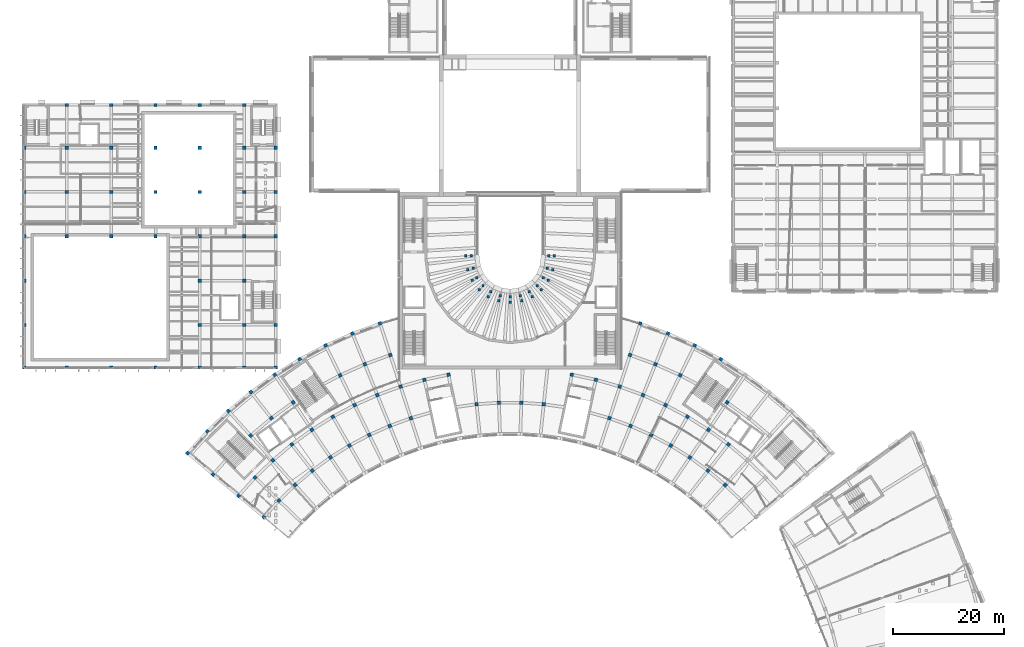
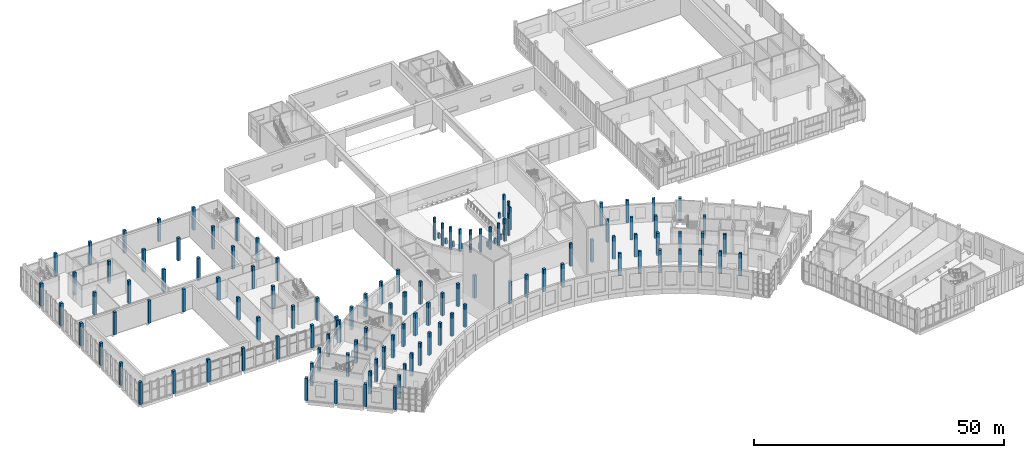
# One storey, part 1 of 87: 129 columns.
"""IFC4 building model written with IfcOpenShell, lengths in metres."""

from ifc_helpers import new_model, si_unit, direction, frame, origin, origin_2d, place, context, subcontext, project, spatial, rectangle, extrude, material, material_profile, profile_set, type_object, element, save


model = new_model("IFC4")

# Units and contexts
model_context = context("Model", 3, precision=1e-05, world=origin(), true_north=direction((0.0, 1.0)))
body_context = subcontext(model_context, "Body", "Model", "MODEL_VIEW")
ifc_project = project(units=[si_unit("LENGTHUNIT", "METRE"), si_unit("AREAUNIT", "SQUARE_METRE"), si_unit("VOLUMEUNIT", "CUBIC_METRE"), si_unit("PLANEANGLEUNIT", "RADIAN"), si_unit("MASSUNIT", "GRAM", prefix="KILO")], contexts=[model_context])

# Site, building, storey
site_placement = place(None, origin())
site = spatial("IfcSite", under=ifc_project, at=site_placement, CompositionType="ELEMENT")
building_placement = place(site_placement, origin())
building = spatial("IfcBuilding", under=site, at=building_placement, Name="Lunette Opera House", CompositionType="ELEMENT")
storey_placement = place(building_placement, frame((0.0, 0.0, 11.5)))
storey = spatial("IfcBuildingStorey", under=building, at=storey_placement, Name="L02", CompositionType="ELEMENT", Elevation=11.5)

# Columns
ifc_material_1 = material(Name="Concrete C40/50", Category="concrete")
ifc_material_profile_1 = material_profile(ifc_material_1, rectangle(XDim=0.449951171875, YDim=0.449951171875, at=origin_2d()), Name="RC COLUMN 450X450")
ifc_profile_set_1 = profile_set([ifc_material_profile_1], Name="Concrete C40/50")
column_type_1 = type_object("IfcColumnType", Name="RC COLUMN 450X450", PredefinedType="COLUMN", material=ifc_profile_set_1)
for number, where, z_axis, x_axis, name in (
    (1, (89.0, 84.52392578125, 0.0), (0.0, 0.0, 1.0), (1.0, 0.0, 0.0), "col-AU-L02-TCL03-1"),
    (2, (89.304931640625, 82.2060546875, 0.0), (0.0, 0.0, 1.0), (1.0, 0.0, 0.0), "col-AU-L02-TCL03-2"),
    (3, (89.998046875, 80.534912109375, 0.0), (0.0, 0.0, 1.0), (1.0, 0.0, 0.0), "col-AU-L02-TCL03-3"),
    (4, (91.09912109375, 79.09912109375, 0.0), (0.0, 0.0, 1.0), (1.0, 0.0, 0.0), "col-AU-L02-TCL03-4"),
    (5, (92.534912109375, 77.998046875, 0.0), (0.0, 0.0, 1.0), (1.0, 0.0, 0.0), "col-AU-L02-TCL03-5"),
    (6, (94.2060546875, 77.304931640625, 0.0), (0.0, 0.0, 1.0), (1.0, 0.0, 0.0), "col-AU-L02-TCL03-6"),
    (7, (96.0, 77.069091796875, 0.0), (0.0, 0.0, 1.0), (1.0, 0.0, 0.0), "col-AU-L02-TCL03-7"),
    (8, (97.7939453125, 77.304931640625, 0.0), (0.0, 0.0, 1.0), (1.0, 0.0, 0.0), "col-AU-L02-TCL03-8"),
    (9, (99.465087890625, 77.998046875, 0.0), (0.0, 0.0, 1.0), (1.0, 0.0, 0.0), "col-AU-L02-TCL03-9"),
    (10, (100.90087890625, 79.09912109375, 0.0), (0.0, 0.0, 1.0), (1.0, 0.0, 0.0), "col-AU-L02-TCL03-10"),
    (11, (102.001953125, 80.534912109375, 0.0), (0.0, 0.0, 1.0), (1.0, 0.0, 0.0), "col-AU-L02-TCL03-11"),
    (12, (102.695068359375, 82.2060546875, 0.0), (0.0, 0.0, 1.0), (1.0, 0.0, 0.0), "col-AU-L02-TCL03-12"),
    (13, (103.0, 84.52392578125, 0.0), (0.0, 0.0, 1.0), (1.0, 0.0, 0.0), "col-AU-L02-TCL03-13"),
):
    element("IfcColumn", number, at=place(storey_placement, frame(where, z_axis=z_axis, x_axis=x_axis)), inside=storey, type_object=column_type_1, Name=name, PredefinedType="COLUMN", context=body_context, shape_type="SweptSolid", body=[
        extrude(rectangle(XDim=0.449951171875, YDim=0.449951171875, at=origin_2d()), origin(), (0.0, 0.0, 1.0), 1.300048828125),
    ])
for number, where, z_axis, x_axis, name in (
    (14, (88.0, 84.458984375, 0.0), (0.0, 0.0, 1.0), (1.0, 0.0, 0.0), "col-AU-L02-TCL04-1"),
    (15, (88.3310546875, 81.945068359375, 0.0), (0.0, 0.0, 1.0), (1.0, 0.0, 0.0), "col-AU-L02-TCL04-2"),
    (16, (89.1240234375, 80.030029296875, 0.0), (0.0, 0.0, 1.0), (1.0, 0.0, 0.0), "col-AU-L02-TCL04-3"),
    (17, (90.385986328125, 78.385986328125, 0.0), (0.0, 0.0, 1.0), (1.0, 0.0, 0.0), "col-AU-L02-TCL04-4"),
    (18, (92.030029296875, 77.1240234375, 0.0), (0.0, 0.0, 1.0), (1.0, 0.0, 0.0), "col-AU-L02-TCL04-5"),
    (19, (93.945068359375, 76.3310546875, 0.0), (0.0, 0.0, 1.0), (1.0, 0.0, 0.0), "col-AU-L02-TCL04-6"),
    (20, (96.0, 76.06005859375, 0.0), (0.0, 0.0, 1.0), (1.0, 0.0, 0.0), "col-AU-L02-TCL04-7"),
    (21, (98.054931640625, 76.3310546875, 0.0), (0.0, 0.0, 1.0), (1.0, 0.0, 0.0), "col-AU-L02-TCL04-8"),
    (22, (99.969970703125, 77.1240234375, 0.0), (0.0, 0.0, 1.0), (1.0, 0.0, 0.0), "col-AU-L02-TCL04-9"),
    (23, (101.614013671875, 78.385986328125, 0.0), (0.0, 0.0, 1.0), (1.0, 0.0, 0.0), "col-AU-L02-TCL04-10"),
    (24, (102.8759765625, 80.030029296875, 0.0), (0.0, 0.0, 1.0), (1.0, 0.0, 0.0), "col-AU-L02-TCL04-11"),
    (25, (103.6689453125, 81.945068359375, 0.0), (0.0, 0.0, 1.0), (1.0, 0.0, 0.0), "col-AU-L02-TCL04-12"),
    (26, (104.0, 84.458984375, 0.0), (0.0, 0.0, 1.0), (1.0, 0.0, 0.0), "col-AU-L02-TCL04-13"),
):
    element("IfcColumn", number, at=place(storey_placement, frame(where, z_axis=z_axis, x_axis=x_axis)), inside=storey, type_object=column_type_1, Name=name, PredefinedType="COLUMN", context=body_context, shape_type="SweptSolid", body=[
        extrude(rectangle(XDim=0.449951171875, YDim=0.449951171875, at=origin_2d()), origin(), (0.0, 0.0, 1.0), 5.5),
    ])
ifc_material_2 = material(Name="Concrete C35/45", Category="concrete")
ifc_material_profile_2 = material_profile(ifc_material_2, rectangle(XDim=0.60009765625, YDim=0.60009765625, at=origin_2d()), Name="RC COLUMN 600X600")
ifc_profile_set_2 = profile_set([ifc_material_profile_2], Name="Concrete C35/45")
column_type_2 = type_object("IfcColumnType", Name="RC COLUMN 600X600", PredefinedType="COLUMN", material=ifc_profile_set_2)
for number, where, z_axis, x_axis, name in (
    (27, (51.569091796875, 37.281982421875, 0.0), (0.0, 0.0, 1.0), (0.642787609687, 0.766044443119, 0.0), "col-FC-L02-AR-M1-RL-01"),
    (28, (54.278076171875, 40.2900390625, 0.0), (0.0, 0.0, 1.0), (0.694658370459, 0.719339800339, 0.0), "col-FC-L02-AR-M1-RL-02"),
    (29, (57.18994140625, 43.10205078125, 0.0), (0.0, 0.0, 1.0), (0.743144825477, 0.669130606359, 0.0), "col-FC-L02-AR-M1-RL-03"),
    (30, (60.2919921875, 45.705078125, 0.0), (0.0, 0.0, 1.0), (0.788010753607, 0.615661475326, 0.0), "col-FC-L02-AR-M1-RL-04"),
    (31, (63.56689453125, 48.083984375, 0.0), (0.0, 0.0, 1.0), (0.829037572555, 0.559192903471, 0.0), "col-FC-L02-AR-M1-RL-05"),
    (32, (67.0, 50.22900390625, 0.0), (0.0, 0.0, 1.0), (0.866025403784, 0.5, 0.0), "col-FC-L02-AR-M1-RL-06"),
    (33, (70.573974609375, 52.1298828125, 0.0), (0.0, 0.0, 1.0), (0.898794046299, 0.438371146789, 0.0), "col-FC-L02-AR-M1-RL-07"),
    (34, (74.27294921875, 53.777099609375, 0.0), (0.0, 0.0, 1.0), (0.927183854567, 0.374606593416, 0.0), "col-FC-L02-AR-M1-RL-08"),
    (35, (78.076904296875, 55.160888671875, 0.0), (0.0, 0.0, 1.0), (0.951056516295, 0.309016994375, 0.0), "col-FC-L02-AR-M1-RL-09"),
    (36, (89.93701171875, 57.681884765625, 0.0), (0.0, 0.0, 1.0), (0.994521895368, 0.104528463268, 0.0), "col-FC-L02-AR-M1-RL-12"),
    (37, (93.97607421875, 57.965087890625, 0.0), (0.0, 0.0, 1.0), (0.999390827019, 0.034899496703, 0.0), "col-FC-L02-AR-M1-RL-13"),
    (38, (98.02392578125, 57.965087890625, 0.0), (0.0, 0.0, 1.0), (0.999390827019, -0.034899496703, 0.0), "col-FC-L02-AR-M1-RL-14"),
    (39, (102.06298828125, 57.681884765625, 0.0), (0.0, 0.0, 1.0), (0.994521895368, -0.104528463268, 0.0), "col-FC-L02-AR-M1-RL-15"),
    (40, (113.923095703125, 55.160888671875, 0.0), (0.0, 0.0, 1.0), (0.951056516295, -0.309016994375, 0.0), "col-FC-L02-AR-M1-RL-18"),
    (41, (117.72705078125, 53.777099609375, 0.0), (0.0, 0.0, 1.0), (0.927183854567, -0.374606593416, 0.0), "col-FC-L02-AR-M1-RL-19"),
    (42, (121.426025390625, 52.1298828125, 0.0), (0.0, 0.0, 1.0), (0.898794046299, -0.438371146789, 0.0), "col-FC-L02-AR-M1-RL-20"),
    (43, (125.0, 50.22900390625, 0.0), (0.0, 0.0, 1.0), (0.866025403784, -0.5, 0.0), "col-FC-L02-AR-M1-RL-21"),
    (44, (128.43310546875, 48.083984375, 0.0), (0.0, 0.0, 1.0), (0.829037572555, -0.559192903471, 0.0), "col-FC-L02-AR-M1-RL-22"),
    (45, (131.7080078125, 45.705078125, 0.0), (0.0, 0.0, 1.0), (0.788010753607, -0.615661475326, 0.0), "col-FC-L02-AR-M1-RL-23"),
    (46, (134.81005859375, 43.10205078125, 0.0), (0.0, 0.0, 1.0), (0.743144825477, -0.669130606359, 0.0), "col-FC-L02-AR-M1-RL-24"),
    (47, (46.972900390625, 41.137939453125, 0.0), (0.0, 0.0, 1.0), (0.642787609687, 0.766044443119, 0.0), "col-FC-L02-AR-B-RL-01"),
    (48, (49.9619140625, 44.4580078125, 0.0), (0.0, 0.0, 1.0), (0.694658370459, 0.719339800339, 0.0), "col-FC-L02-AR-B-RL-02"),
    (49, (53.176025390625, 47.56103515625, 0.0), (0.0, 0.0, 1.0), (0.743144825477, 0.669130606359, 0.0), "col-FC-L02-AR-B-RL-03"),
    (50, (56.597900390625, 50.43310546875, 0.0), (0.0, 0.0, 1.0), (0.788010753607, 0.615661475326, 0.0), "col-FC-L02-AR-B-RL-04"),
    (51, (60.2119140625, 53.05810546875, 0.0), (0.0, 0.0, 1.0), (0.829037572555, 0.559192903471, 0.0), "col-FC-L02-AR-B-RL-05"),
    (52, (64.0, 55.426025390625, 0.0), (0.0, 0.0, 1.0), (0.866025403784, 0.5, 0.0), "col-FC-L02-AR-B-RL-06"),
    (53, (67.944091796875, 57.52294921875, 0.0), (0.0, 0.0, 1.0), (0.898794046299, 0.438371146789, 0.0), "col-FC-L02-AR-B-RL-07"),
    (54, (72.02490234375, 59.340087890625, 0.0), (0.0, 0.0, 1.0), (0.927183854567, 0.374606593416, 0.0), "col-FC-L02-AR-B-RL-08"),
    (55, (76.222900390625, 60.867919921875, 0.0), (0.0, 0.0, 1.0), (0.951056516295, 0.309016994375, 0.0), "col-FC-L02-AR-B-RL-09"),
    (56, (80.51708984375, 62.09912109375, 0.0), (0.0, 0.0, 1.0), (0.970295726276, 0.2419218956, 0.0), "col-FC-L02-AR-B-RL-10"),
    (57, (84.886962890625, 63.028076171875, 0.0), (0.0, 0.0, 1.0), (0.984807753012, 0.173648177667, 0.0), "col-FC-L02-AR-B-RL-11"),
    (58, (107.113037109375, 63.028076171875, 0.0), (0.0, 0.0, 1.0), (0.984807753012, -0.173648177667, 0.0), "col-FC-L02-AR-B-RL-16"),
    (59, (111.48291015625, 62.09912109375, 0.0), (0.0, 0.0, 1.0), (0.970295726276, -0.2419218956, 0.0), "col-FC-L02-AR-B-RL-17"),
    (60, (115.777099609375, 60.867919921875, 0.0), (0.0, 0.0, 1.0), (0.951056516295, -0.309016994375, 0.0), "col-FC-L02-AR-B-RL-18"),
    (61, (119.97509765625, 59.340087890625, 0.0), (0.0, 0.0, 1.0), (0.927183854567, -0.374606593416, 0.0), "col-FC-L02-AR-B-RL-19"),
    (62, (124.055908203125, 57.52294921875, 0.0), (0.0, 0.0, 1.0), (0.898794046299, -0.438371146789, 0.0), "col-FC-L02-AR-B-RL-20"),
    (63, (128.0, 55.426025390625, 0.0), (0.0, 0.0, 1.0), (0.866025403784, -0.5, 0.0), "col-FC-L02-AR-B-RL-21"),
    (64, (131.7880859375, 53.05810546875, 0.0), (0.0, 0.0, 1.0), (0.829037572555, -0.559192903471, 0.0), "col-FC-L02-AR-B-RL-22"),
    (65, (135.402099609375, 50.43310546875, 0.0), (0.0, 0.0, 1.0), (0.788010753607, -0.615661475326, 0.0), "col-FC-L02-AR-B-RL-23"),
    (66, (42.376953125, 44.9951171875, 0.0), (0.0, 0.0, 1.0), (0.642787609687, 0.766044443119, 0.0), "col-FC-L02-AR-M2-RL-01"),
    (67, (49.160888671875, 52.02001953125, 0.0), (0.0, 0.0, 1.0), (0.743144825477, 0.669130606359, 0.0), "col-FC-L02-AR-M2-RL-03"),
    (68, (52.904052734375, 55.160888671875, 0.0), (0.0, 0.0, 1.0), (0.788010753607, 0.615661475326, 0.0), "col-FC-L02-AR-M2-RL-04"),
    (69, (56.85595703125, 58.032958984375, 0.0), (0.0, 0.0, 1.0), (0.829037572555, 0.559192903471, 0.0), "col-FC-L02-AR-M2-RL-05"),
    (70, (65.31396484375, 62.916015625, 0.0), (0.0, 0.0, 1.0), (0.898794046299, 0.438371146789, 0.0), "col-FC-L02-AR-M2-RL-07"),
    (71, (69.778076171875, 64.903076171875, 0.0), (0.0, 0.0, 1.0), (0.927183854567, 0.374606593416, 0.0), "col-FC-L02-AR-M2-RL-08"),
    (72, (74.368896484375, 66.573974609375, 0.0), (0.0, 0.0, 1.0), (0.951056516295, 0.309016994375, 0.0), "col-FC-L02-AR-M2-RL-09"),
    (73, (117.631103515625, 66.573974609375, 0.0), (0.0, 0.0, 1.0), (0.951056516295, -0.309016994375, 0.0), "col-FC-L02-AR-M2-RL-18"),
    (74, (122.221923828125, 64.903076171875, 0.0), (0.0, 0.0, 1.0), (0.927183854567, -0.374606593416, 0.0), "col-FC-L02-AR-M2-RL-19"),
    (75, (126.68603515625, 62.916015625, 0.0), (0.0, 0.0, 1.0), (0.898794046299, -0.438371146789, 0.0), "col-FC-L02-AR-M2-RL-20"),
    (76, (135.14404296875, 58.032958984375, 0.0), (0.0, 0.0, 1.0), (0.829037572555, -0.559192903471, 0.0), "col-FC-L02-AR-M2-RL-22"),
    (77, (37.781005859375, 48.85205078125, 0.0), (0.0, 0.0, 1.0), (0.642787609687, 0.766044443119, 0.0), "col-FC-L02-AR-C-RL-01"),
    (78, (41.330078125, 52.7939453125, 0.0), (0.0, 0.0, 1.0), (0.694658370459, 0.719339800339, 0.0), "col-FC-L02-AR-C-RL-02"),
    (79, (45.14599609375, 56.47900390625, 0.0), (0.0, 0.0, 1.0), (0.743144825477, 0.669130606359, 0.0), "col-FC-L02-AR-C-RL-03"),
    (80, (49.2099609375, 59.888916015625, 0.0), (0.0, 0.0, 1.0), (0.788010753607, 0.615661475326, 0.0), "col-FC-L02-AR-C-RL-04"),
    (81, (53.5009765625, 63.007080078125, 0.0), (0.0, 0.0, 1.0), (0.829037572555, 0.559192903471, 0.0), "col-FC-L02-AR-C-RL-05"),
    (82, (58.0, 65.818115234375, 0.0), (0.0, 0.0, 1.0), (0.866025403784, 0.5, 0.0), "col-FC-L02-AR-C-RL-06"),
    (83, (62.68408203125, 68.30810546875, 0.0), (0.0, 0.0, 1.0), (0.898794046299, 0.438371146789, 0.0), "col-FC-L02-AR-C-RL-07"),
    (84, (67.530029296875, 70.466064453125, 0.0), (0.0, 0.0, 1.0), (0.927183854567, 0.374606593416, 0.0), "col-FC-L02-AR-C-RL-08"),
    (85, (72.514892578125, 72.280029296875, 0.0), (0.0, 0.0, 1.0), (0.951056516295, 0.309016994375, 0.0), "col-FC-L02-AR-C-RL-09"),
    (86, (119.485107421875, 72.280029296875, 0.0), (0.0, 0.0, 1.0), (0.951056516295, -0.309016994375, 0.0), "col-FC-L02-AR-C-RL-18"),
    (87, (124.469970703125, 70.466064453125, 0.0), (0.0, 0.0, 1.0), (0.927183854567, -0.374606593416, 0.0), "col-FC-L02-AR-C-RL-19"),
    (88, (129.31591796875, 68.30810546875, 0.0), (0.0, 0.0, 1.0), (0.898794046299, -0.438371146789, 0.0), "col-FC-L02-AR-C-RL-20"),
    (89, (134.0, 65.818115234375, 0.0), (0.0, 0.0, 1.0), (0.866025403784, -0.5, 0.0), "col-FC-L02-AR-C-RL-21"),
    (90, (8.300048828125, 64.300048828125, 0.0), (0.0, 0.0, 1.0), (1.0, 0.0, 0.0), "col-RW-L02-C00"),
    (91, (8.300048828125, 72.0, 0.0), (0.0, 0.0, 1.0), (1.0, 0.0, 0.0), "col-RW-L02-C01"),
    (92, (8.300048828125, 80.0, 0.0), (0.0, 0.0, 1.0), (1.0, 0.0, 0.0), "col-RW-L02-C02"),
    (93, (8.300048828125, 88.0, 0.0), (0.0, 0.0, 1.0), (1.0, 0.0, 0.0), "col-RW-L02-C03"),
    (94, (8.300048828125, 96.0, 0.0), (0.0, 0.0, 1.0), (1.0, 0.0, 0.0), "col-RW-L02-C04"),
    (95, (8.300048828125, 104.0, 0.0), (0.0, 0.0, 1.0), (1.0, 0.0, 0.0), "col-RW-L02-C05"),
    (96, (16.0, 64.300048828125, 0.0), (0.0, 0.0, 1.0), (1.0, 0.0, 0.0), "col-RW-L02-C10"),
    (97, (16.0, 88.0, 0.0), (0.0, 0.0, 1.0), (1.0, 0.0, 0.0), "col-RW-L02-C13"),
    (98, (16.0, 96.0, 0.0), (0.0, 0.0, 1.0), (1.0, 0.0, 0.0), "col-RW-L02-C14"),
    (99, (16.0, 104.0, 0.0), (0.0, 0.0, 1.0), (1.0, 0.0, 0.0), "col-RW-L02-C15"),
    (100, (16.0, 111.699951171875, 0.0), (0.0, 0.0, 1.0), (1.0, 0.0, 0.0), "col-RW-L02-C16"),
    (101, (24.0, 64.300048828125, 0.0), (0.0, 0.0, 1.0), (1.0, 0.0, 0.0), "col-RW-L02-C20"),
    (102, (24.0, 88.0, 0.0), (0.0, 0.0, 1.0), (1.0, 0.0, 0.0), "col-RW-L02-C23"),
    (103, (24.0, 96.0, 0.0), (0.0, 0.0, 1.0), (1.0, 0.0, 0.0), "col-RW-L02-C24"),
    (104, (24.0, 104.0, 0.0), (0.0, 0.0, 1.0), (1.0, 0.0, 0.0), "col-RW-L02-C25"),
    (105, (24.0, 111.699951171875, 0.0), (0.0, 0.0, 1.0), (1.0, 0.0, 0.0), "col-RW-L02-C26"),
    (106, (32.0, 64.300048828125, 0.0), (0.0, 0.0, 1.0), (1.0, 0.0, 0.0), "col-RW-L02-C30"),
    (107, (32.0, 88.0, 0.0), (0.0, 0.0, 1.0), (1.0, 0.0, 0.0), "col-RW-L02-C33"),
    (108, (32.0, 96.0, 0.0), (0.0, 0.0, 1.0), (1.0, 0.0, 0.0), "col-RW-L02-C34"),
    (109, (32.0, 104.0, 0.0), (0.0, 0.0, 1.0), (1.0, 0.0, 0.0), "col-RW-L02-C35"),
    (110, (32.0, 111.699951171875, 0.0), (0.0, 0.0, 1.0), (1.0, 0.0, 0.0), "col-RW-L02-C36"),
    (111, (40.0, 64.300048828125, 0.0), (0.0, 0.0, 1.0), (1.0, 0.0, 0.0), "col-RW-L02-C40"),
    (112, (40.0, 72.0, 0.0), (0.0, 0.0, 1.0), (1.0, 0.0, 0.0), "col-RW-L02-C41"),
    (113, (40.0, 80.0, 0.0), (0.0, 0.0, 1.0), (1.0, 0.0, 0.0), "col-RW-L02-C42"),
    (114, (40.0, 88.0, 0.0), (0.0, 0.0, 1.0), (1.0, 0.0, 0.0), "col-RW-L02-C43"),
    (115, (40.0, 96.0, 0.0), (0.0, 0.0, 1.0), (1.0, 0.0, 0.0), "col-RW-L02-C44"),
    (116, (40.0, 104.0, 0.0), (0.0, 0.0, 1.0), (1.0, 0.0, 0.0), "col-RW-L02-C45"),
    (117, (40.0, 111.699951171875, 0.0), (0.0, 0.0, 1.0), (1.0, 0.0, 0.0), "col-RW-L02-C46"),
    (118, (48.0, 64.300048828125, 0.0), (0.0, 0.0, 1.0), (1.0, 0.0, 0.0), "col-RW-L02-C50"),
    (119, (48.0, 72.0, 0.0), (0.0, 0.0, 1.0), (1.0, 0.0, 0.0), "col-RW-L02-C51"),
    (120, (48.0, 80.0, 0.0), (0.0, 0.0, 1.0), (1.0, 0.0, 0.0), "col-RW-L02-C52"),
    (121, (48.0, 88.0, 0.0), (0.0, 0.0, 1.0), (1.0, 0.0, 0.0), "col-RW-L02-C53"),
    (122, (48.0, 96.0, 0.0), (0.0, 0.0, 1.0), (1.0, 0.0, 0.0), "col-RW-L02-C54"),
    (123, (48.0, 104.0, 0.0), (0.0, 0.0, 1.0), (1.0, 0.0, 0.0), "col-RW-L02-C55"),
    (124, (48.0, 111.699951171875, 0.0), (0.0, 0.0, 1.0), (1.0, 0.0, 0.0), "col-RW-L02-C56"),
    (125, (53.699951171875, 64.300048828125, 0.0), (0.0, 0.0, 1.0), (1.0, 0.0, 0.0), "col-RW-L02-C60"),
    (126, (53.699951171875, 72.0, 0.0), (0.0, 0.0, 1.0), (1.0, 0.0, 0.0), "col-RW-L02-C61"),
    (127, (53.699951171875, 88.0, 0.0), (0.0, 0.0, 1.0), (1.0, 0.0, 0.0), "col-RW-L02-C63"),
    (128, (53.699951171875, 96.0, 0.0), (0.0, 0.0, 1.0), (1.0, 0.0, 0.0), "col-RW-L02-C64"),
    (129, (53.699951171875, 104.0, 0.0), (0.0, 0.0, 1.0), (1.0, 0.0, 0.0), "col-RW-L02-C65"),
):
    element("IfcColumn", number, at=place(storey_placement, frame(where, z_axis=z_axis, x_axis=x_axis)), inside=storey, type_object=column_type_2, Name=name, PredefinedType="COLUMN", context=body_context, shape_type="SweptSolid", body=[
        extrude(rectangle(XDim=0.60009765625, YDim=0.60009765625, at=origin_2d()), origin(), (0.0, 0.0, 1.0), 5.5),
    ])

save(model, "model.ifc")
